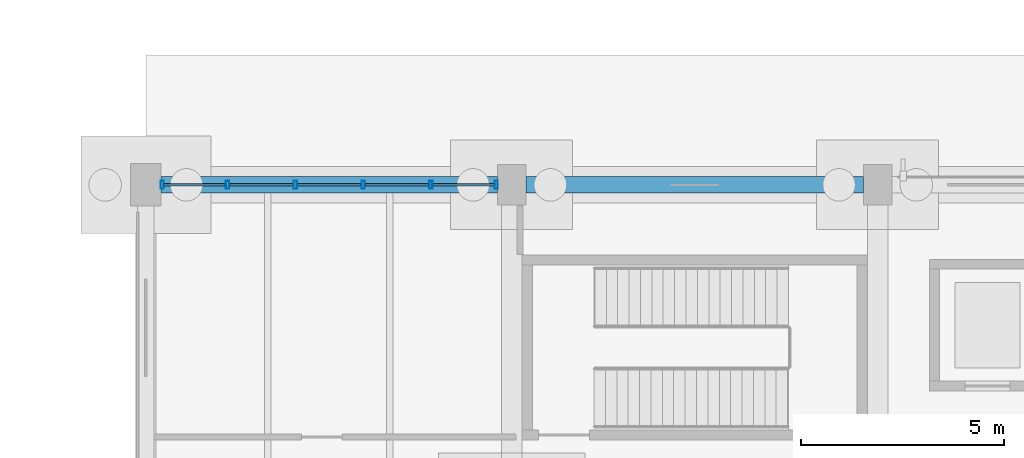
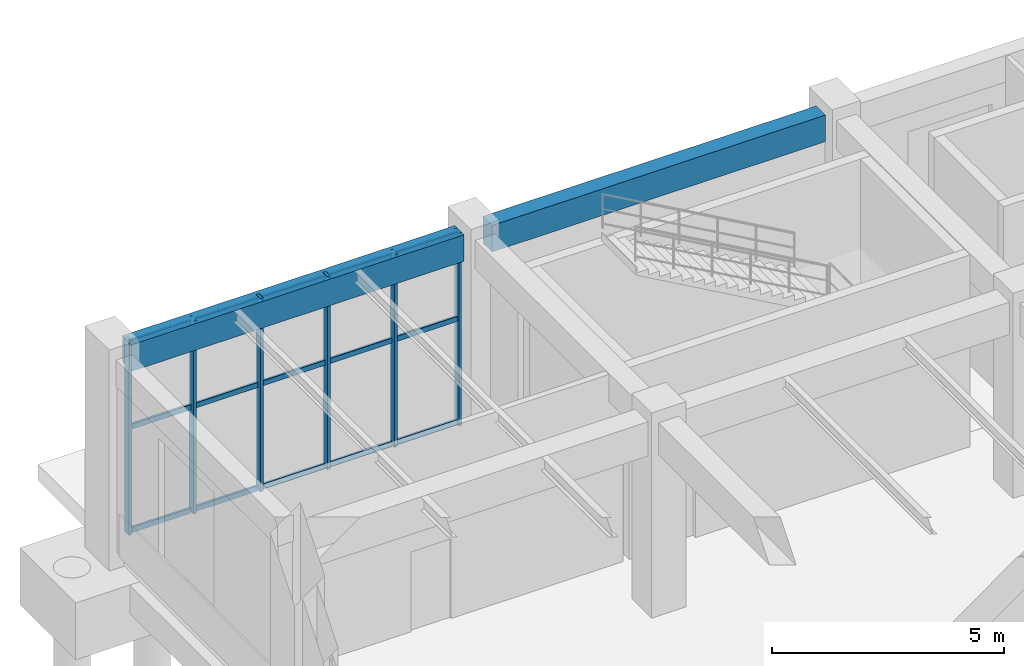
# One storey, part 37 of 121: 21 members, 2 beams, 1 element without a shape of its own.
"""IFC4 building model written with IfcOpenShell, lengths in metres."""

from ifc_helpers import new_model, si_unit, derived_unit, direction, frame, origin, origin_2d, place, context, subcontext, project, spatial, rectangle, hollow_rectangle, extrude, material, material_profile, profile_set, type_object, element, aggregate, save


model = new_model("IFC4")

# Units and contexts
model_context = context("Model", 3, precision=1e-05, world=origin(), true_north=direction((0.0, 1.0)))
body_context = subcontext(model_context, "Body", "Model", "MODEL_VIEW")
ifc_project = project(units=[si_unit("LENGTHUNIT", "METRE"), si_unit("AREAUNIT", "SQUARE_METRE"), si_unit("VOLUMEUNIT", "CUBIC_METRE"), si_unit("PLANEANGLEUNIT", "RADIAN"), si_unit("MASSUNIT", "GRAM", prefix="KILO"), derived_unit("THERMALTRANSMITTANCEUNIT", [(si_unit("MASSUNIT", "GRAM", prefix="KILO"), 1), (si_unit("TIMEUNIT", "SECOND"), -3), (si_unit("THERMODYNAMICTEMPERATUREUNIT", "KELVIN"), -1)])], contexts=[model_context])

# Site, building, storey
site_placement = place(None, origin())
site = spatial("IfcSite", under=ifc_project, at=site_placement, CompositionType="ELEMENT")
building_placement = place(site_placement, origin())
building = spatial("IfcBuilding", under=site, at=building_placement, Name="Zhenchuan Archway Interchange", CompositionType="ELEMENT")
storey_placement = place(building_placement, origin())
storey = spatial("IfcBuildingStorey", under=building, at=storey_placement, Name="L00", CompositionType="ELEMENT", Elevation=0.0)

# Curtain wall, members
ifc_material_1 = material(Name="Anodised Aluminium", Category="aluminium")
curtain_wall_type = type_object("IfcCurtainWallType", Name="CW_UNIT_1", PredefinedType="NOTDEFINED", material=ifc_material_1)
curtain_wall_placement = place(storey_placement, origin())
curtain_wall = element("IfcCurtainWall", 1, at=curtain_wall_placement, inside=storey, type_object=curtain_wall_type, Name="Unitised curtain wall CW:L00:004", PredefinedType="NOTDEFINED")
ifc_material_profile_1 = material_profile(ifc_material_1, hollow_rectangle(XDim=0.080078125, YDim=0.199951171875, WallThickness=0.00439453125, InnerFilletRadius=0.00439453125, OuterFilletRadius=0.009033203125, at=origin_2d()), Name="ALU 200x80x4.5")
ifc_profile_set_1 = profile_set([ifc_material_profile_1], Name="Anodised Aluminium")
member_type_1 = type_object("IfcMemberType", Name="CW_MUL_200", PredefinedType="MULLION", material=ifc_profile_set_1)
member_1_placement = place(storey_placement, frame((0.403076171875, 112.0, 0.0), z_axis=(0.0, 0.0, 1.0), x_axis=(1.0, 0.0, 0.0)))
member_1 = element("IfcMember", 2, at=member_1_placement, type_object=member_type_1, Name="CW:L00:004 mullion 0", PredefinedType="MULLION", context=body_context, shape_type="SweptSolid", body=[
    extrude(hollow_rectangle(XDim=0.080078125, YDim=0.199951171875, WallThickness=0.00439453125, InnerFilletRadius=0.00439453125, OuterFilletRadius=0.009033203125, at=origin_2d()), origin(), (0.0, 0.0, 1.0), 5.080078125),
])
member_2_placement = place(storey_placement, frame((2.0107421875, 112.0, 0.0), z_axis=(0.0, 0.0, 1.0), x_axis=(1.0, 0.0, 0.0)))
member_2 = element("IfcMember", 3, at=member_2_placement, type_object=member_type_1, Name="CW:L00:004 mullion 1", PredefinedType="MULLION", context=body_context, shape_type="SweptSolid", body=[
    extrude(hollow_rectangle(XDim=0.080078125, YDim=0.199951171875, WallThickness=0.00439453125, InnerFilletRadius=0.00439453125, OuterFilletRadius=0.009033203125, at=origin_2d()), origin(), (0.0, 0.0, 1.0), 5.080078125),
])
member_3_placement = place(storey_placement, frame((3.6787109375, 112.0, 0.0), z_axis=(0.0, 0.0, 1.0), x_axis=(1.0, 0.0, 0.0)))
member_3 = element("IfcMember", 4, at=member_3_placement, type_object=member_type_1, Name="CW:L00:004 mullion 2", PredefinedType="MULLION", context=body_context, shape_type="SweptSolid", body=[
    extrude(hollow_rectangle(XDim=0.080078125, YDim=0.199951171875, WallThickness=0.00439453125, InnerFilletRadius=0.00439453125, OuterFilletRadius=0.009033203125, at=origin_2d()), origin(), (0.0, 0.0, 1.0), 5.080078125),
])
member_4_placement = place(storey_placement, frame((5.346435546875, 112.0, 0.0), z_axis=(0.0, 0.0, 1.0), x_axis=(1.0, 0.0, 0.0)))
member_4 = element("IfcMember", 5, at=member_4_placement, type_object=member_type_1, Name="CW:L00:004 mullion 3", PredefinedType="MULLION", context=body_context, shape_type="SweptSolid", body=[
    extrude(hollow_rectangle(XDim=0.080078125, YDim=0.199951171875, WallThickness=0.00439453125, InnerFilletRadius=0.00439453125, OuterFilletRadius=0.009033203125, at=origin_2d()), origin(), (0.0, 0.0, 1.0), 5.080078125),
])
member_5_placement = place(storey_placement, frame((7.01416015625, 112.0, 0.0), z_axis=(0.0, 0.0, 1.0), x_axis=(1.0, 0.0, 0.0)))
member_5 = element("IfcMember", 6, at=member_5_placement, type_object=member_type_1, Name="CW:L00:004 mullion 4", PredefinedType="MULLION", context=body_context, shape_type="SweptSolid", body=[
    extrude(hollow_rectangle(XDim=0.080078125, YDim=0.199951171875, WallThickness=0.00439453125, InnerFilletRadius=0.00439453125, OuterFilletRadius=0.009033203125, at=origin_2d()), origin(), (0.0, 0.0, 1.0), 5.080078125),
])
member_6_placement = place(storey_placement, frame((8.6220703125, 112.0, 0.0), z_axis=(0.0, 0.0, 1.0), x_axis=(1.0, 0.0, 0.0)))
member_6 = element("IfcMember", 7, at=member_6_placement, type_object=member_type_1, Name="CW:L00:004 mullion 5", PredefinedType="MULLION", context=body_context, shape_type="SweptSolid", body=[
    extrude(hollow_rectangle(XDim=0.080078125, YDim=0.199951171875, WallThickness=0.00439453125, InnerFilletRadius=0.00439453125, OuterFilletRadius=0.009033203125, at=origin_2d()), origin(), (0.0, 0.0, 1.0), 5.080078125),
])
ifc_material_profile_2 = material_profile(ifc_material_1, hollow_rectangle(XDim=0.06005859375, YDim=0.139892578125, WallThickness=0.00341796875, InnerFilletRadius=0.00341796875, OuterFilletRadius=0.007080078125, at=origin_2d()), Name="ALU 140x60x3.5")
ifc_profile_set_2 = profile_set([ifc_material_profile_2], Name="Anodised Aluminium")
member_type_2 = type_object("IfcMemberType", Name="CW_TRN_140", PredefinedType="USERDEFINED", material=ifc_profile_set_2)
member_7_placement = place(storey_placement, frame((0.423095703125, 112.0, 0.06005859375), z_axis=(1.0, 0.0, 0.0), x_axis=(0.0, 1.0, 0.0)))
member_7 = element("IfcMember", 8, at=member_7_placement, type_object=member_type_2, Name="CW:L00:004 transom 0-1", ObjectType="TRANSOM", PredefinedType="USERDEFINED", context=body_context, shape_type="SweptSolid", body=[
    extrude(hollow_rectangle(XDim=0.06005859375, YDim=0.139892578125, WallThickness=0.00341796875, InnerFilletRadius=0.00341796875, OuterFilletRadius=0.007080078125, at=origin_2d()), origin(), (0.0, 0.0, 1.0), 1.527587890625),
])
member_8_placement = place(storey_placement, frame((0.423095703125, 112.0, 2.782958984375), z_axis=(1.0, 0.0, 0.0), x_axis=(0.0, 1.0, 0.0)))
member_8 = element("IfcMember", 9, at=member_8_placement, type_object=member_type_2, Name="CW:L00:004 transom 0-2", ObjectType="TRANSOM", PredefinedType="USERDEFINED", context=body_context, shape_type="SweptSolid", body=[
    extrude(hollow_rectangle(XDim=0.06005859375, YDim=0.139892578125, WallThickness=0.00341796875, InnerFilletRadius=0.00341796875, OuterFilletRadius=0.007080078125, at=origin_2d()), origin(), (0.0, 0.0, 1.0), 1.527587890625),
])
member_9_placement = place(storey_placement, frame((0.423095703125, 112.0, 5.0), z_axis=(1.0, 0.0, 0.0), x_axis=(0.0, 1.0, 0.0)))
member_9 = element("IfcMember", 10, at=member_9_placement, type_object=member_type_2, Name="CW:L00:004 transom 0-3", ObjectType="TRANSOM", PredefinedType="USERDEFINED", context=body_context, shape_type="SweptSolid", body=[
    extrude(hollow_rectangle(XDim=0.06005859375, YDim=0.139892578125, WallThickness=0.00341796875, InnerFilletRadius=0.00341796875, OuterFilletRadius=0.007080078125, at=origin_2d()), origin(), (0.0, 0.0, 1.0), 1.527587890625),
])
member_10_placement = place(storey_placement, frame((2.07080078125, 112.0, 0.06005859375), z_axis=(1.0, 0.0, 0.0), x_axis=(0.0, 1.0, 0.0)))
member_10 = element("IfcMember", 11, at=member_10_placement, type_object=member_type_2, Name="CW:L00:004 transom 1-1", ObjectType="TRANSOM", PredefinedType="USERDEFINED", context=body_context, shape_type="SweptSolid", body=[
    extrude(hollow_rectangle(XDim=0.06005859375, YDim=0.139892578125, WallThickness=0.00341796875, InnerFilletRadius=0.00341796875, OuterFilletRadius=0.007080078125, at=origin_2d()), origin(), (0.0, 0.0, 1.0), 1.5478515625),
])
member_11_placement = place(storey_placement, frame((2.07080078125, 112.0, 2.782958984375), z_axis=(1.0, 0.0, 0.0), x_axis=(0.0, 1.0, 0.0)))
member_11 = element("IfcMember", 12, at=member_11_placement, type_object=member_type_2, Name="CW:L00:004 transom 1-2", ObjectType="TRANSOM", PredefinedType="USERDEFINED", context=body_context, shape_type="SweptSolid", body=[
    extrude(hollow_rectangle(XDim=0.06005859375, YDim=0.139892578125, WallThickness=0.00341796875, InnerFilletRadius=0.00341796875, OuterFilletRadius=0.007080078125, at=origin_2d()), origin(), (0.0, 0.0, 1.0), 1.5478515625),
])
member_12_placement = place(storey_placement, frame((2.07080078125, 112.0, 5.0), z_axis=(1.0, 0.0, 0.0), x_axis=(0.0, 1.0, 0.0)))
member_12 = element("IfcMember", 13, at=member_12_placement, type_object=member_type_2, Name="CW:L00:004 transom 1-3", ObjectType="TRANSOM", PredefinedType="USERDEFINED", context=body_context, shape_type="SweptSolid", body=[
    extrude(hollow_rectangle(XDim=0.06005859375, YDim=0.139892578125, WallThickness=0.00341796875, InnerFilletRadius=0.00341796875, OuterFilletRadius=0.007080078125, at=origin_2d()), origin(), (0.0, 0.0, 1.0), 1.5478515625),
])
member_13_placement = place(storey_placement, frame((3.738525390625, 112.0, 0.06005859375), z_axis=(1.0, 0.0, 0.0), x_axis=(0.0, 1.0, 0.0)))
member_13 = element("IfcMember", 14, at=member_13_placement, type_object=member_type_2, Name="CW:L00:004 transom 2-1", ObjectType="TRANSOM", PredefinedType="USERDEFINED", context=body_context, shape_type="SweptSolid", body=[
    extrude(hollow_rectangle(XDim=0.06005859375, YDim=0.139892578125, WallThickness=0.00341796875, InnerFilletRadius=0.00341796875, OuterFilletRadius=0.007080078125, at=origin_2d()), origin(), (0.0, 0.0, 1.0), 1.5478515625),
])
member_14_placement = place(storey_placement, frame((3.738525390625, 112.0, 2.782958984375), z_axis=(1.0, 0.0, 0.0), x_axis=(0.0, 1.0, 0.0)))
member_14 = element("IfcMember", 15, at=member_14_placement, type_object=member_type_2, Name="CW:L00:004 transom 2-2", ObjectType="TRANSOM", PredefinedType="USERDEFINED", context=body_context, shape_type="SweptSolid", body=[
    extrude(hollow_rectangle(XDim=0.06005859375, YDim=0.139892578125, WallThickness=0.00341796875, InnerFilletRadius=0.00341796875, OuterFilletRadius=0.007080078125, at=origin_2d()), origin(), (0.0, 0.0, 1.0), 1.5478515625),
])
member_15_placement = place(storey_placement, frame((3.738525390625, 112.0, 5.0), z_axis=(1.0, 0.0, 0.0), x_axis=(0.0, 1.0, 0.0)))
member_15 = element("IfcMember", 16, at=member_15_placement, type_object=member_type_2, Name="CW:L00:004 transom 2-3", ObjectType="TRANSOM", PredefinedType="USERDEFINED", context=body_context, shape_type="SweptSolid", body=[
    extrude(hollow_rectangle(XDim=0.06005859375, YDim=0.139892578125, WallThickness=0.00341796875, InnerFilletRadius=0.00341796875, OuterFilletRadius=0.007080078125, at=origin_2d()), origin(), (0.0, 0.0, 1.0), 1.5478515625),
])
member_16_placement = place(storey_placement, frame((5.406494140625, 112.0, 0.06005859375), z_axis=(1.0, 0.0, 0.0), x_axis=(0.0, 1.0, 0.0)))
member_16 = element("IfcMember", 17, at=member_16_placement, type_object=member_type_2, Name="CW:L00:004 transom 3-1", ObjectType="TRANSOM", PredefinedType="USERDEFINED", context=body_context, shape_type="SweptSolid", body=[
    extrude(hollow_rectangle(XDim=0.06005859375, YDim=0.139892578125, WallThickness=0.00341796875, InnerFilletRadius=0.00341796875, OuterFilletRadius=0.007080078125, at=origin_2d()), origin(), (0.0, 0.0, 1.0), 1.547607421875),
])
member_17_placement = place(storey_placement, frame((5.406494140625, 112.0, 2.782958984375), z_axis=(1.0, 0.0, 0.0), x_axis=(0.0, 1.0, 0.0)))
member_17 = element("IfcMember", 18, at=member_17_placement, type_object=member_type_2, Name="CW:L00:004 transom 3-2", ObjectType="TRANSOM", PredefinedType="USERDEFINED", context=body_context, shape_type="SweptSolid", body=[
    extrude(hollow_rectangle(XDim=0.06005859375, YDim=0.139892578125, WallThickness=0.00341796875, InnerFilletRadius=0.00341796875, OuterFilletRadius=0.007080078125, at=origin_2d()), origin(), (0.0, 0.0, 1.0), 1.547607421875),
])
member_18_placement = place(storey_placement, frame((5.406494140625, 112.0, 5.0), z_axis=(1.0, 0.0, 0.0), x_axis=(0.0, 1.0, 0.0)))
member_18 = element("IfcMember", 19, at=member_18_placement, type_object=member_type_2, Name="CW:L00:004 transom 3-3", ObjectType="TRANSOM", PredefinedType="USERDEFINED", context=body_context, shape_type="SweptSolid", body=[
    extrude(hollow_rectangle(XDim=0.06005859375, YDim=0.139892578125, WallThickness=0.00341796875, InnerFilletRadius=0.00341796875, OuterFilletRadius=0.007080078125, at=origin_2d()), origin(), (0.0, 0.0, 1.0), 1.547607421875),
])
member_19_placement = place(storey_placement, frame((7.07421875, 112.0, 0.06005859375), z_axis=(1.0, 0.0, 0.0), x_axis=(0.0, 1.0, 0.0)))
member_19 = element("IfcMember", 20, at=member_19_placement, type_object=member_type_2, Name="CW:L00:004 transom 4-1", ObjectType="TRANSOM", PredefinedType="USERDEFINED", context=body_context, shape_type="SweptSolid", body=[
    extrude(hollow_rectangle(XDim=0.06005859375, YDim=0.139892578125, WallThickness=0.00341796875, InnerFilletRadius=0.00341796875, OuterFilletRadius=0.007080078125, at=origin_2d()), origin(), (0.0, 0.0, 1.0), 1.52783203125),
])
member_20_placement = place(storey_placement, frame((7.07421875, 112.0, 2.782958984375), z_axis=(1.0, 0.0, 0.0), x_axis=(0.0, 1.0, 0.0)))
member_20 = element("IfcMember", 21, at=member_20_placement, type_object=member_type_2, Name="CW:L00:004 transom 4-2", ObjectType="TRANSOM", PredefinedType="USERDEFINED", context=body_context, shape_type="SweptSolid", body=[
    extrude(hollow_rectangle(XDim=0.06005859375, YDim=0.139892578125, WallThickness=0.00341796875, InnerFilletRadius=0.00341796875, OuterFilletRadius=0.007080078125, at=origin_2d()), origin(), (0.0, 0.0, 1.0), 1.52783203125),
])
member_21_placement = place(storey_placement, frame((7.07421875, 112.0, 5.0), z_axis=(1.0, 0.0, 0.0), x_axis=(0.0, 1.0, 0.0)))
member_21 = element("IfcMember", 22, at=member_21_placement, type_object=member_type_2, Name="CW:L00:004 transom 4-3", ObjectType="TRANSOM", PredefinedType="USERDEFINED", context=body_context, shape_type="SweptSolid", body=[
    extrude(hollow_rectangle(XDim=0.06005859375, YDim=0.139892578125, WallThickness=0.00341796875, InnerFilletRadius=0.00341796875, OuterFilletRadius=0.007080078125, at=origin_2d()), origin(), (0.0, 0.0, 1.0), 1.52783203125),
])
aggregate(curtain_wall, [member_1, member_2, member_3, member_4, member_5, member_6, member_7, member_8, member_9, member_10, member_11, member_12, member_13, member_14, member_15, member_16, member_17, member_18, member_19, member_20, member_21])

# Beams
ifc_material_2 = material(Name="Concrete C40", Category="concrete")
ifc_material_profile_3 = material_profile(ifc_material_2, rectangle(XDim=0.39990234375, YDim=0.699951171875, at=origin_2d()), Name="RC 400x700")
ifc_profile_set_3 = profile_set([ifc_material_profile_3], Name="Concrete C40")
beam_type = type_object("IfcBeamType", Name="SP_RC_400x700", PredefinedType="SPANDREL", material=ifc_profile_set_3)
beam_1_placement = place(storey_placement, frame((0.375, 112.0, 4.72998046875), z_axis=(1.0, 0.0, 0.0), x_axis=(0.0, 1.0, 0.0)))
element("IfcBeam", 23, at=beam_1_placement, inside=storey, type_object=beam_type, Name="Beam P:1-2 (L00)", PredefinedType="SPANDREL", context=body_context, shape_type="SweptSolid", body=[
    extrude(rectangle(XDim=0.39990234375, YDim=0.699951171875, at=origin_2d()), origin(), (0.0, 0.0, 1.0), 8.27490234375),
])
beam_2_placement = place(storey_placement, frame((9.35009765625, 112.0, 4.72998046875), z_axis=(1.0, 0.0, 0.0), x_axis=(0.0, 1.0, 0.0)))
element("IfcBeam", 24, at=beam_2_placement, inside=storey, type_object=beam_type, Name="Beam P:2-3 (L00)", PredefinedType="SPANDREL", context=body_context, shape_type="SweptSolid", body=[
    extrude(rectangle(XDim=0.39990234375, YDim=0.699951171875, at=origin_2d()), origin(), (0.0, 0.0, 1.0), 8.2998046875),
])

save(model, "model.ifc")
